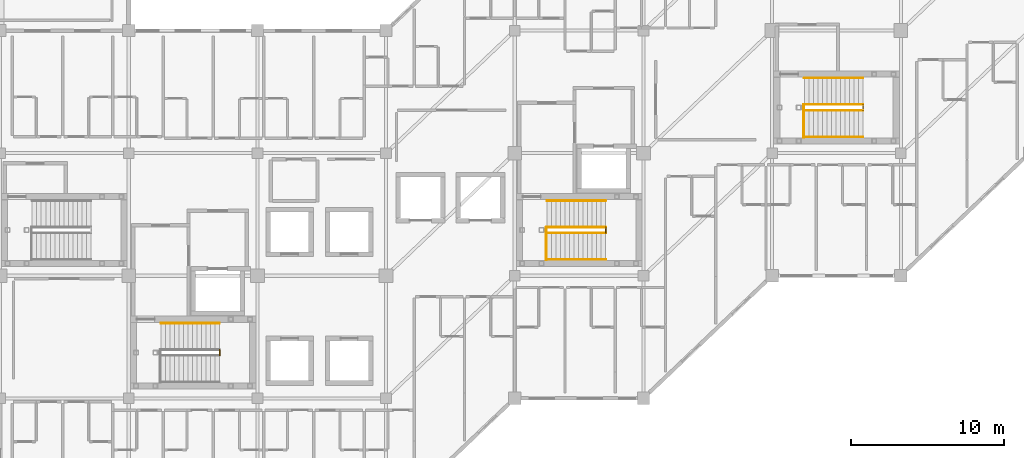
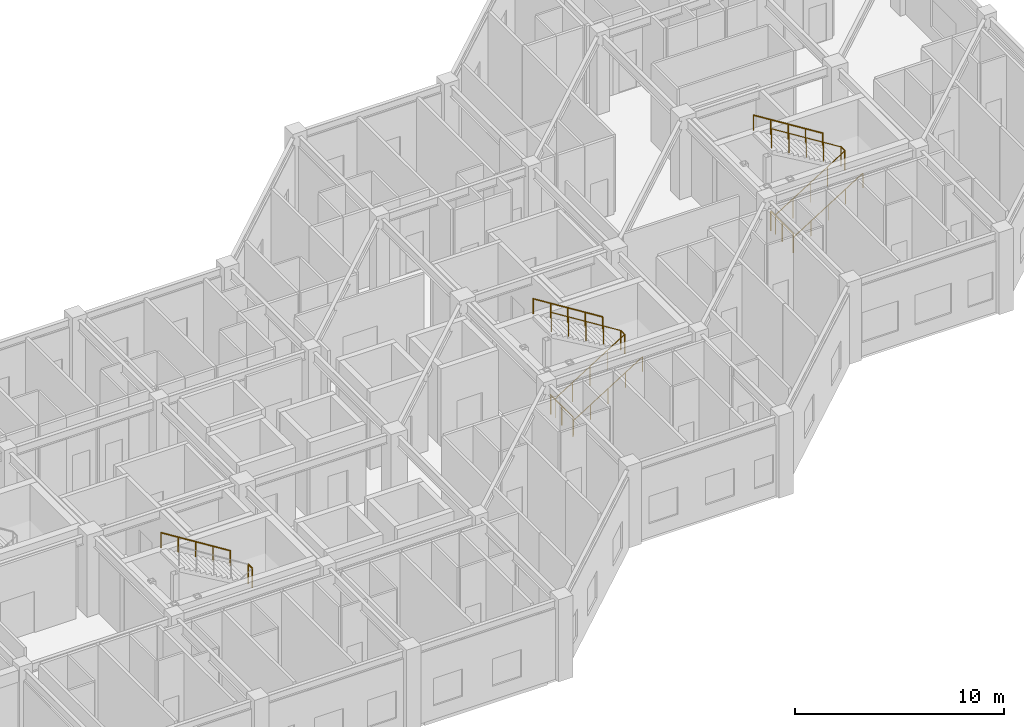
# One storey, part 37 of 37: 14 railings.
"""IFC4 building model written with IfcOpenShell, lengths in metres."""

from ifc_helpers import new_model, si_unit, direction, frame, origin, origin_2d, place, context, subcontext, project, spatial, circle, extrude, material, layer, layer_set, type_object, element, save


model = new_model("IFC4")

# Units and contexts
model_context = context("Model", 3, precision=1e-05, world=origin(), true_north=direction((0.0, 1.0)))
body_context = subcontext(model_context, "Body", "Model", "MODEL_VIEW")
ifc_project = project(units=[si_unit("LENGTHUNIT", "METRE"), si_unit("AREAUNIT", "SQUARE_METRE"), si_unit("VOLUMEUNIT", "CUBIC_METRE"), si_unit("PLANEANGLEUNIT", "RADIAN"), si_unit("MASSUNIT", "GRAM", prefix="KILO")], contexts=[model_context])

# Site, building, storey
site_placement = place(None, origin())
site = spatial("IfcSite", under=ifc_project, at=site_placement, CompositionType="ELEMENT")
building_placement = place(site_placement, origin())
building = spatial("IfcBuilding", under=site, at=building_placement, Name="Naruveol Harbour Congress Hotel", CompositionType="ELEMENT")
storey_placement = place(building_placement, frame((0.0, 0.0, 16.199951171875)))
storey = spatial("IfcBuildingStorey", under=building, at=storey_placement, Name="L03", CompositionType="ELEMENT", Elevation=16.199951171875)

# Railings
ifc_material_1 = material(Name="Stainless Steel 304", Category="steel")
ifc_layer_1 = layer(ifc_material_1, 0.0419921875)
ifc_layer_set_1 = layer_set([ifc_layer_1], Name="Stainless Steel 304")
railing_type_1 = type_object("IfcRailingType", Name="STAIR WALL MOUNTED HANDRAIL 900", PredefinedType="HANDRAIL", material=ifc_layer_set_1)
railing_1_placement = place(storey_placement, frame((131.93505859375, 12.89990234375, 2.400146484375)))
element("IfcRailing", 1, at=railing_1_placement, inside=storey, type_object=railing_type_1, Name="Stair ST1 L03 upper wall handrail", PredefinedType="HANDRAIL", context=body_context, shape_type="SweptSolid", body=[
    extrude(circle(Radius=0.02392578125, at=origin_2d()), frame((0.0, 0.0, 0.8759765625), z_axis=(-0.847694986538, 0.0, 0.530483939246), x_axis=(0.0, -1.0, 0.0)), (0.0, 0.0, 1.0), 4.52392578125),
    extrude(circle(Radius=0.02099609375, at=origin_2d()), origin(), (0.0, 0.0, 1.0), 0.851806640625),
    extrude(circle(Radius=0.02099609375, at=origin_2d()), frame((-0.958740234375, 0.0, 0.60009765625)), (0.0, 0.0, 1.0), 0.851806640625),
    extrude(circle(Radius=0.02099609375, at=origin_2d()), frame((-1.91748046875, 0.0, 1.199951171875)), (0.0, 0.0, 1.0), 0.851806640625),
    extrude(circle(Radius=0.02099609375, at=origin_2d()), frame((-2.876220703125, 0.0, 1.7998046875)), (0.0, 0.0, 1.0), 0.851806640625),
    extrude(circle(Radius=0.02099609375, at=origin_2d()), frame((-3.8349609375, 0.0, 2.39990234375)), (0.0, 0.0, 1.0), 0.851806640625),
])
railing_2_placement = place(storey_placement, frame((153.300048828125, 17.06005859375, 0.0)))
element("IfcRailing", 2, at=railing_2_placement, inside=storey, type_object=railing_type_1, Name="Stair ST2 L03 lower wall handrail", PredefinedType="HANDRAIL", context=body_context, shape_type="SweptSolid", body=[
    extrude(circle(Radius=0.02392578125, at=origin_2d()), frame((0.0, 0.0, 0.8759765625), z_axis=(0.847670718537, 0.0, 0.530522716701), x_axis=(0.0, 1.0, 0.0)), (0.0, 0.0, 1.0), 4.524169921875),
    extrude(circle(Radius=0.02099609375, at=origin_2d()), origin(), (0.0, 0.0, 1.0), 0.851806640625),
    extrude(circle(Radius=0.02099609375, at=origin_2d()), frame((0.958740234375, 0.0, 0.60009765625)), (0.0, 0.0, 1.0), 0.851806640625),
    extrude(circle(Radius=0.02099609375, at=origin_2d()), frame((1.91748046875, 0.0, 1.2001953125)), (0.0, 0.0, 1.0), 0.851806640625),
    extrude(circle(Radius=0.02099609375, at=origin_2d()), frame((2.876220703125, 0.0, 1.800048828125)), (0.0, 0.0, 1.0), 0.851806640625),
    extrude(circle(Radius=0.02099609375, at=origin_2d()), frame((3.8349609375, 0.0, 2.400146484375)), (0.0, 0.0, 1.0), 0.851806640625),
])
railing_3_placement = place(storey_placement, frame((157.135009765625, 20.89990234375, 2.400146484375)))
element("IfcRailing", 3, at=railing_3_placement, inside=storey, type_object=railing_type_1, Name="Stair ST2 L03 upper wall handrail", PredefinedType="HANDRAIL", context=body_context, shape_type="SweptSolid", body=[
    extrude(circle(Radius=0.02392578125, at=origin_2d()), frame((0.0, 0.0, 0.8759765625), z_axis=(-0.847694986538, 0.0, 0.530483939246), x_axis=(0.0, -1.0, 0.0)), (0.0, 0.0, 1.0), 4.52392578125),
    extrude(circle(Radius=0.02099609375, at=origin_2d()), origin(), (0.0, 0.0, 1.0), 0.851806640625),
    extrude(circle(Radius=0.02099609375, at=origin_2d()), frame((-0.958740234375, 0.0, 0.60009765625)), (0.0, 0.0, 1.0), 0.851806640625),
    extrude(circle(Radius=0.02099609375, at=origin_2d()), frame((-1.91748046875, 0.0, 1.199951171875)), (0.0, 0.0, 1.0), 0.851806640625),
    extrude(circle(Radius=0.02099609375, at=origin_2d()), frame((-2.876220703125, 0.0, 1.7998046875)), (0.0, 0.0, 1.0), 0.851806640625),
    extrude(circle(Radius=0.02099609375, at=origin_2d()), frame((-3.8349609375, 0.0, 2.39990234375)), (0.0, 0.0, 1.0), 0.851806640625),
])
railing_4_placement = place(storey_placement, frame((170.10009765625, 25.06005859375, 0.0)))
element("IfcRailing", 4, at=railing_4_placement, inside=storey, type_object=railing_type_1, Name="Stair ST4 L03 lower wall handrail", PredefinedType="HANDRAIL", context=body_context, shape_type="SweptSolid", body=[
    extrude(circle(Radius=0.02392578125, at=origin_2d()), frame((0.0, 0.0, 0.8759765625), z_axis=(0.847670718537, 0.0, 0.530522716701), x_axis=(0.0, 1.0, 0.0)), (0.0, 0.0, 1.0), 4.524169921875),
    extrude(circle(Radius=0.02099609375, at=origin_2d()), origin(), (0.0, 0.0, 1.0), 0.851806640625),
    extrude(circle(Radius=0.02099609375, at=origin_2d()), frame((0.958740234375, 0.0, 0.60009765625)), (0.0, 0.0, 1.0), 0.851806640625),
    extrude(circle(Radius=0.02099609375, at=origin_2d()), frame((1.91748046875, 0.0, 1.2001953125)), (0.0, 0.0, 1.0), 0.851806640625),
    extrude(circle(Radius=0.02099609375, at=origin_2d()), frame((2.876220703125, 0.0, 1.800048828125)), (0.0, 0.0, 1.0), 0.851806640625),
    extrude(circle(Radius=0.02099609375, at=origin_2d()), frame((3.8349609375, 0.0, 2.400146484375)), (0.0, 0.0, 1.0), 0.851806640625),
])
railing_5_placement = place(storey_placement, frame((173.93505859375, 28.89990234375, 2.400146484375)))
element("IfcRailing", 5, at=railing_5_placement, inside=storey, type_object=railing_type_1, Name="Stair ST4 L03 upper wall handrail", PredefinedType="HANDRAIL", context=body_context, shape_type="SweptSolid", body=[
    extrude(circle(Radius=0.02392578125, at=origin_2d()), frame((0.0, 0.0, 0.8759765625), z_axis=(-0.847694986538, 0.0, 0.530483939246), x_axis=(0.0, -1.0, 0.0)), (0.0, 0.0, 1.0), 4.52392578125),
    extrude(circle(Radius=0.02099609375, at=origin_2d()), origin(), (0.0, 0.0, 1.0), 0.851806640625),
    extrude(circle(Radius=0.02099609375, at=origin_2d()), frame((-0.958740234375, 0.0, 0.60009765625)), (0.0, 0.0, 1.0), 0.851806640625),
    extrude(circle(Radius=0.02099609375, at=origin_2d()), frame((-1.91748046875, 0.0, 1.199951171875)), (0.0, 0.0, 1.0), 0.851806640625),
    extrude(circle(Radius=0.02099609375, at=origin_2d()), frame((-2.876220703125, 0.0, 1.7998046875)), (0.0, 0.0, 1.0), 0.851806640625),
    extrude(circle(Radius=0.02099609375, at=origin_2d()), frame((-3.8349609375, 0.0, 2.39990234375)), (0.0, 0.0, 1.0), 0.851806640625),
])
ifc_material_2 = material(Name="Steel SN490", Category="steel")
ifc_layer_2 = layer(ifc_material_2, 0.044921875)
ifc_layer_set_2 = layer_set([ifc_layer_2], Name="Steel SN490")
railing_type_2 = type_object("IfcRailingType", Name="STAIRWELL STEEL GUARDRAIL 1150", PredefinedType="GUARDRAIL", material=ifc_layer_set_2)
railing_6_placement = place(storey_placement, frame((131.93505859375, 10.7900390625, 2.400146484375)))
element("IfcRailing", 6, at=railing_6_placement, inside=storey, type_object=railing_type_2, Name="Stair ST1 L03 half-landing slot guard", PredefinedType="GUARDRAIL", context=body_context, shape_type="SweptSolid", body=[
    extrude(circle(Radius=0.02392578125, at=origin_2d()), frame((0.0, 0.0, 1.1259765625), z_axis=(0.0, 1.0, 0.0), x_axis=(-1.0, 0.0, 0.0)), (0.0, 0.0, 1.0), 0.3798828125),
    extrude(circle(Radius=0.02099609375, at=origin_2d()), origin(), (0.0, 0.0, 1.0), 1.101806640625),
    extrude(circle(Radius=0.02099609375, at=origin_2d()), frame((0.0, 0.3798828125, 0.0)), (0.0, 0.0, 1.0), 1.101806640625),
])
railing_7_placement = place(storey_placement, frame((153.300048828125, 18.7900390625, 0.0)))
element("IfcRailing", 7, at=railing_7_placement, inside=storey, type_object=railing_type_2, Name="Stair ST2 L03 lower well guard", PredefinedType="GUARDRAIL", context=body_context, shape_type="SweptSolid", body=[
    extrude(circle(Radius=0.02392578125, at=origin_2d()), frame((0.0, 0.0, 1.1259765625), z_axis=(0.847670718537, 0.0, 0.530522716701), x_axis=(0.0, 1.0, 0.0)), (0.0, 0.0, 1.0), 4.524169921875),
    extrude(circle(Radius=0.02099609375, at=origin_2d()), origin(), (0.0, 0.0, 1.0), 1.101806640625),
    extrude(circle(Radius=0.02099609375, at=origin_2d()), frame((0.958740234375, 0.0, 0.60009765625)), (0.0, 0.0, 1.0), 1.101806640625),
    extrude(circle(Radius=0.02099609375, at=origin_2d()), frame((1.91748046875, 0.0, 1.2001953125)), (0.0, 0.0, 1.0), 1.101806640625),
    extrude(circle(Radius=0.02099609375, at=origin_2d()), frame((2.876220703125, 0.0, 1.800048828125)), (0.0, 0.0, 1.0), 1.101806640625),
    extrude(circle(Radius=0.02099609375, at=origin_2d()), frame((3.8349609375, 0.0, 2.400146484375)), (0.0, 0.0, 1.0), 1.101806640625),
])
railing_8_placement = place(storey_placement, frame((157.135009765625, 18.7900390625, 2.400146484375)))
element("IfcRailing", 8, at=railing_8_placement, inside=storey, type_object=railing_type_2, Name="Stair ST2 L03 half-landing slot guard", PredefinedType="GUARDRAIL", context=body_context, shape_type="SweptSolid", body=[
    extrude(circle(Radius=0.02392578125, at=origin_2d()), frame((0.0, 0.0, 1.1259765625), z_axis=(0.0, 1.0, 0.0), x_axis=(-1.0, 0.0, 0.0)), (0.0, 0.0, 1.0), 0.3798828125),
    extrude(circle(Radius=0.02099609375, at=origin_2d()), origin(), (0.0, 0.0, 1.0), 1.101806640625),
    extrude(circle(Radius=0.02099609375, at=origin_2d()), frame((0.0, 0.3798828125, 0.0)), (0.0, 0.0, 1.0), 1.101806640625),
])
railing_9_placement = place(storey_placement, frame((157.135009765625, 19.169921875, 2.400146484375)))
element("IfcRailing", 9, at=railing_9_placement, inside=storey, type_object=railing_type_2, Name="Stair ST2 L03 upper well guard", PredefinedType="GUARDRAIL", context=body_context, shape_type="SweptSolid", body=[
    extrude(circle(Radius=0.02392578125, at=origin_2d()), frame((0.0, 0.0, 1.1259765625), z_axis=(-0.847694986538, 0.0, 0.530483939246), x_axis=(0.0, -1.0, 0.0)), (0.0, 0.0, 1.0), 4.52392578125),
    extrude(circle(Radius=0.02099609375, at=origin_2d()), origin(), (0.0, 0.0, 1.0), 1.101806640625),
    extrude(circle(Radius=0.02099609375, at=origin_2d()), frame((-0.958740234375, 0.0, 0.60009765625)), (0.0, 0.0, 1.0), 1.101806640625),
    extrude(circle(Radius=0.02099609375, at=origin_2d()), frame((-1.91748046875, 0.0, 1.199951171875)), (0.0, 0.0, 1.0), 1.101806640625),
    extrude(circle(Radius=0.02099609375, at=origin_2d()), frame((-2.876220703125, 0.0, 1.7998046875)), (0.0, 0.0, 1.0), 1.101806640625),
    extrude(circle(Radius=0.02099609375, at=origin_2d()), frame((-3.8349609375, 0.0, 2.39990234375)), (0.0, 0.0, 1.0), 1.101806640625),
])
railing_10_placement = place(storey_placement, frame((153.260009765625, 17.02001953125, 0.0)))
element("IfcRailing", 10, at=railing_10_placement, inside=storey, type_object=railing_type_2, Name="Stair ST2 L03 landing well guard", PredefinedType="GUARDRAIL", context=body_context, shape_type="SweptSolid", body=[
    extrude(circle(Radius=0.02392578125, at=origin_2d()), frame((0.0, 0.0, 1.1259765625), z_axis=(0.0, 1.0, 0.0), x_axis=(-1.0, 0.0, 0.0)), (0.0, 0.0, 1.0), 2.14990234375),
    extrude(circle(Radius=0.02099609375, at=origin_2d()), origin(), (0.0, 0.0, 1.0), 1.101806640625),
    extrude(circle(Radius=0.02099609375, at=origin_2d()), frame((0.0, 1.074951171875, 0.0)), (0.0, 0.0, 1.0), 1.101806640625),
    extrude(circle(Radius=0.02099609375, at=origin_2d()), frame((0.0, 2.14990234375, 0.0)), (0.0, 0.0, 1.0), 1.101806640625),
])
railing_11_placement = place(storey_placement, frame((170.10009765625, 26.7900390625, 0.0)))
element("IfcRailing", 11, at=railing_11_placement, inside=storey, type_object=railing_type_2, Name="Stair ST4 L03 lower well guard", PredefinedType="GUARDRAIL", context=body_context, shape_type="SweptSolid", body=[
    extrude(circle(Radius=0.02392578125, at=origin_2d()), frame((0.0, 0.0, 1.1259765625), z_axis=(0.847670718537, 0.0, 0.530522716701), x_axis=(0.0, 1.0, 0.0)), (0.0, 0.0, 1.0), 4.524169921875),
    extrude(circle(Radius=0.02099609375, at=origin_2d()), origin(), (0.0, 0.0, 1.0), 1.101806640625),
    extrude(circle(Radius=0.02099609375, at=origin_2d()), frame((0.958740234375, 0.0, 0.60009765625)), (0.0, 0.0, 1.0), 1.101806640625),
    extrude(circle(Radius=0.02099609375, at=origin_2d()), frame((1.91748046875, 0.0, 1.2001953125)), (0.0, 0.0, 1.0), 1.101806640625),
    extrude(circle(Radius=0.02099609375, at=origin_2d()), frame((2.876220703125, 0.0, 1.800048828125)), (0.0, 0.0, 1.0), 1.101806640625),
    extrude(circle(Radius=0.02099609375, at=origin_2d()), frame((3.8349609375, 0.0, 2.400146484375)), (0.0, 0.0, 1.0), 1.101806640625),
])
railing_12_placement = place(storey_placement, frame((173.93505859375, 26.7900390625, 2.400146484375)))
element("IfcRailing", 12, at=railing_12_placement, inside=storey, type_object=railing_type_2, Name="Stair ST4 L03 half-landing slot guard", PredefinedType="GUARDRAIL", context=body_context, shape_type="SweptSolid", body=[
    extrude(circle(Radius=0.02392578125, at=origin_2d()), frame((0.0, 0.0, 1.1259765625), z_axis=(0.0, 1.0, 0.0), x_axis=(-1.0, 0.0, 0.0)), (0.0, 0.0, 1.0), 0.3798828125),
    extrude(circle(Radius=0.02099609375, at=origin_2d()), origin(), (0.0, 0.0, 1.0), 1.101806640625),
    extrude(circle(Radius=0.02099609375, at=origin_2d()), frame((0.0, 0.3798828125, 0.0)), (0.0, 0.0, 1.0), 1.101806640625),
])
railing_13_placement = place(storey_placement, frame((173.93505859375, 27.169921875, 2.400146484375)))
element("IfcRailing", 13, at=railing_13_placement, inside=storey, type_object=railing_type_2, Name="Stair ST4 L03 upper well guard", PredefinedType="GUARDRAIL", context=body_context, shape_type="SweptSolid", body=[
    extrude(circle(Radius=0.02392578125, at=origin_2d()), frame((0.0, 0.0, 1.1259765625), z_axis=(-0.847694986538, 0.0, 0.530483939246), x_axis=(0.0, -1.0, 0.0)), (0.0, 0.0, 1.0), 4.52392578125),
    extrude(circle(Radius=0.02099609375, at=origin_2d()), origin(), (0.0, 0.0, 1.0), 1.101806640625),
    extrude(circle(Radius=0.02099609375, at=origin_2d()), frame((-0.958740234375, 0.0, 0.60009765625)), (0.0, 0.0, 1.0), 1.101806640625),
    extrude(circle(Radius=0.02099609375, at=origin_2d()), frame((-1.91748046875, 0.0, 1.199951171875)), (0.0, 0.0, 1.0), 1.101806640625),
    extrude(circle(Radius=0.02099609375, at=origin_2d()), frame((-2.876220703125, 0.0, 1.7998046875)), (0.0, 0.0, 1.0), 1.101806640625),
    extrude(circle(Radius=0.02099609375, at=origin_2d()), frame((-3.8349609375, 0.0, 2.39990234375)), (0.0, 0.0, 1.0), 1.101806640625),
])
railing_14_placement = place(storey_placement, frame((170.06005859375, 25.02001953125, 0.0)))
element("IfcRailing", 14, at=railing_14_placement, inside=storey, type_object=railing_type_2, Name="Stair ST4 L03 landing well guard", PredefinedType="GUARDRAIL", context=body_context, shape_type="SweptSolid", body=[
    extrude(circle(Radius=0.02392578125, at=origin_2d()), frame((0.0, 0.0, 1.1259765625), z_axis=(0.0, 1.0, 0.0), x_axis=(-1.0, 0.0, 0.0)), (0.0, 0.0, 1.0), 2.14990234375),
    extrude(circle(Radius=0.02099609375, at=origin_2d()), origin(), (0.0, 0.0, 1.0), 1.101806640625),
    extrude(circle(Radius=0.02099609375, at=origin_2d()), frame((0.0, 1.074951171875, 0.0)), (0.0, 0.0, 1.0), 1.101806640625),
    extrude(circle(Radius=0.02099609375, at=origin_2d()), frame((0.0, 2.14990234375, 0.0)), (0.0, 0.0, 1.0), 1.101806640625),
])

save(model, "model.ifc")
